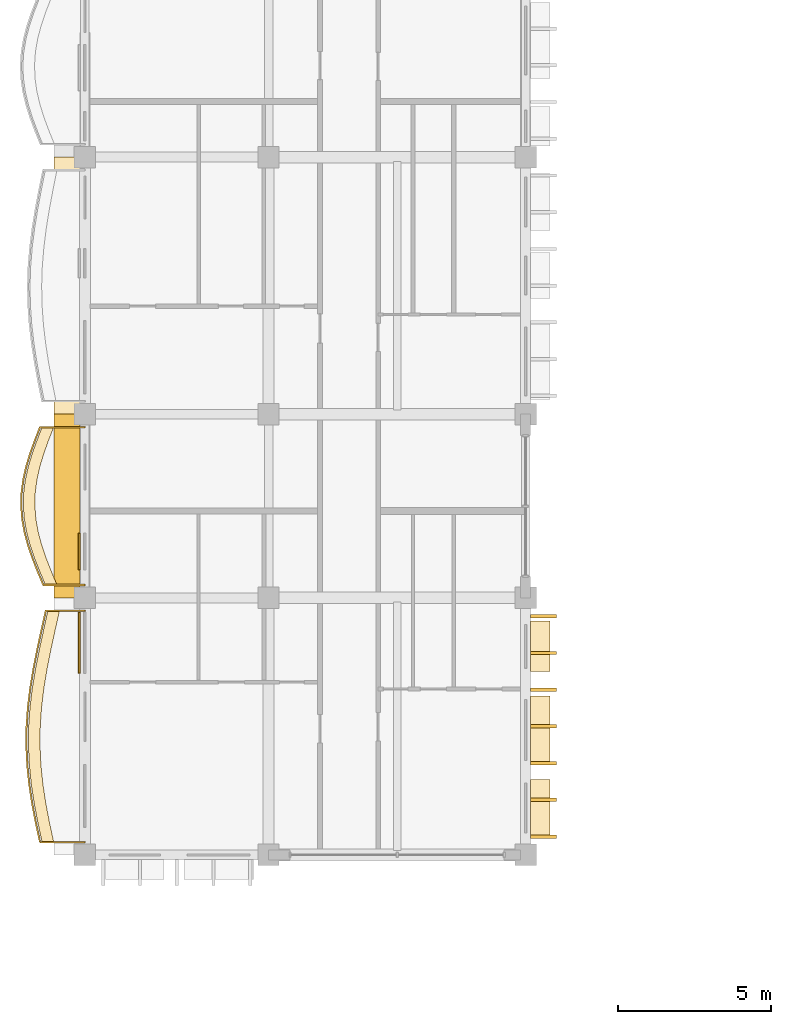
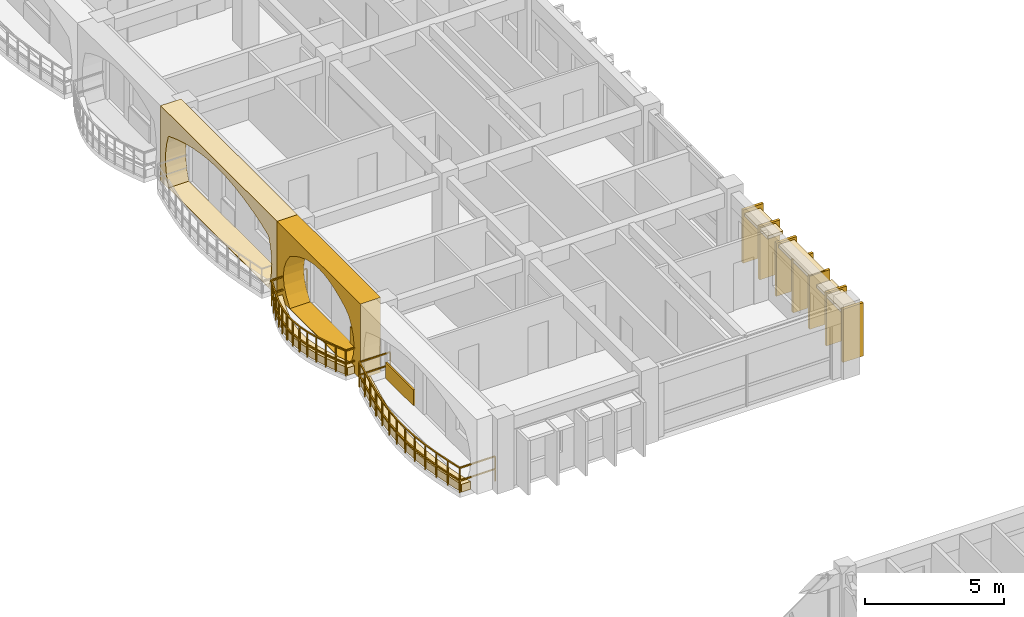
# One storey, part 55 of 76: 16 coverings, 2 railings.
"""IFC4 building model written with IfcOpenShell, lengths in metres."""

from ifc_helpers import new_model, si_unit, direction, frame, origin, origin_2d, place, context, subcontext, project, spatial, polyline, rectangle, outline, extrude, material, layer, layer_set, type_object, element, save


model = new_model("IFC4")

# Units and contexts
model_context = context("Model", 3, precision=1e-05, world=origin(), true_north=direction((0.0, 1.0)))
body_context = subcontext(model_context, "Body", "Model", "MODEL_VIEW")
ifc_project = project(units=[si_unit("LENGTHUNIT", "METRE"), si_unit("AREAUNIT", "SQUARE_METRE"), si_unit("VOLUMEUNIT", "CUBIC_METRE"), si_unit("PLANEANGLEUNIT", "RADIAN"), si_unit("MASSUNIT", "GRAM", prefix="KILO"), si_unit("THERMODYNAMICTEMPERATUREUNIT", "KELVIN")], contexts=[model_context])

# Site, building, storey
site_placement = place(None, origin())
site = spatial("IfcSite", under=ifc_project, at=site_placement, CompositionType="ELEMENT")
building_placement = place(site_placement, origin())
building = spatial("IfcBuilding", under=site, at=building_placement, Name="Thalorik Housing Commons", CompositionType="ELEMENT")
storey_placement = place(building_placement, frame((0.0, 0.0, 18.0)))
storey = spatial("IfcBuildingStorey", under=building, at=storey_placement, Name="L05", CompositionType="ELEMENT", Elevation=18.0)

# Coverings
ifc_material_1 = material(Name="Cobalt blue glazed ceramic facade tile panel", Category="masonry")
ifc_layer_1 = layer(ifc_material_1, 0.06005859375, Name="Cobalt blue glazed ceramic facade tile panel", Category="masonry")
ifc_layer_set_1 = layer_set([ifc_layer_1], Name="Cobalt blue glazed ceramic facade tile panel")
covering_type_1 = type_object("IfcCoveringType", Name="ARC-CLD-BLU-60", PredefinedType="CLADDING", material=ifc_layer_set_1)
covering_1_placement = place(storey_placement, frame((8.21240234375, 81.9150390625, 0.0498046875), z_axis=(0.0, 0.0, 1.0), x_axis=(0.0, -1.0, 0.0)))
element("IfcCovering", 1, at=covering_1_placement, inside=storey, type_object=covering_type_1, Name="L05 De Stijl Recessed Window Spandrel 572", PredefinedType="CLADDING", context=body_context, shape_type="SweptSolid", body=[
    extrude(rectangle(XDim=1.199951171875, YDim=0.06005859375, at=origin_2d()), origin(), (0.0, 0.0, 1.0), 0.699951171875),
])
ifc_material_2 = material(Name="Precast concrete C40/50", Category="concrete")
ifc_layer_2 = layer(ifc_material_2, 0.85009765625, Name="Precast concrete C40/50", Category="concrete")
ifc_layer_set_2 = layer_set([ifc_layer_2], Name="Precast concrete C40/50")
covering_type_2 = type_object("IfcCoveringType", Name="ARC-CLD-CUSH-850", PredefinedType="CLADDING", material=ifc_layer_set_2)
covering_2_placement = place(storey_placement, frame((7.822509765625, 90.60009765625, 0.0), z_axis=(0.0, 0.0, 1.0), x_axis=(0.0, -1.0, 0.0)))
element("IfcCovering", 2, at=covering_2_placement, inside=storey, type_object=covering_type_2, Name="L05 White Precast Curved Cushion Bay Frame 569", PredefinedType="CLADDING", context=body_context, shape_type="SweptSolid", body=[
    extrude(outline(polyline([(-4.199951171875, 0.0), (4.199951171875, 0.0), (4.199951171875, 3.300048828125), (-4.199951171875, 3.300048828125), (-4.199951171875, 0.0)]), holes=[polyline([(3.580078125, 0.02490234375), (3.7109375, 0.404296875), (3.789306640625, 0.783203125), (3.815673828125, 1.16259765625), (3.789306640625, 1.541748046875), (3.7109375, 1.9208984375), (3.580078125, 2.300048828125), (2.979248046875, 2.525390625), (2.37841796875, 2.7021484375), (1.777587890625, 2.845458984375), (1.1767578125, 2.951904296875), (0.57568359375, 3.017822265625), (-0.02490234375, 3.0400390625), (-0.625732421875, 3.017822265625), (-1.226806640625, 2.951904296875), (-1.827392578125, 2.845458984375), (-2.42822265625, 2.7021484375), (-3.029296875, 2.525390625), (-3.6298828125, 2.300048828125), (-3.750244140625, 1.9208984375), (-3.822509765625, 1.541748046875), (-3.8466796875, 1.16259765625), (-3.822509765625, 0.783203125), (-3.750244140625, 0.404296875), (-3.6298828125, 0.02490234375), (3.580078125, 0.02490234375)])]), frame((0.0, 0.425048828125, 0.0), z_axis=(0.0, -1.0, 0.0), x_axis=(1.0, 0.0, 0.0)), (0.0, 0.0, 1.0), 0.85009765625),
])
covering_3_placement = place(storey_placement, frame((7.822509765625, 83.39990234375, 0.0), z_axis=(0.0, 0.0, 1.0), x_axis=(0.0, -1.0, 0.0)))
element("IfcCovering", 3, at=covering_3_placement, inside=storey, type_object=covering_type_2, Name="L05 White Precast Curved Cushion Bay Frame 571", PredefinedType="CLADDING", context=body_context, shape_type="SweptSolid", body=[
    extrude(outline(polyline([(-3.0, 0.0), (3.0, 0.0), (3.0, 3.300048828125), (-3.0, 3.300048828125), (-3.0, 0.0)]), holes=[polyline([(2.135009765625, 0.02490234375), (2.365478515625, 0.407470703125), (2.50390625, 0.7900390625), (2.550048828125, 1.172607421875), (2.50390625, 1.554931640625), (2.365478515625, 1.9375), (2.135009765625, 2.320068359375), (1.7841796875, 2.539306640625), (1.433349609375, 2.711181640625), (1.08251953125, 2.8505859375), (0.731689453125, 2.954345703125), (0.380859375, 3.018310546875), (0.030029296875, 3.0400390625), (-0.32080078125, 3.018310546875), (-0.671630859375, 2.954345703125), (-1.0224609375, 2.8505859375), (-1.373291015625, 2.711181640625), (-1.72412109375, 2.539306640625), (-2.074951171875, 2.320068359375), (-2.3388671875, 1.9375), (-2.497314453125, 1.554931640625), (-2.550048828125, 1.172607421875), (-2.497314453125, 0.7900390625), (-2.3388671875, 0.407470703125), (-2.074951171875, 0.02490234375), (2.135009765625, 0.02490234375)])]), frame((0.0, 0.425048828125, 0.0), z_axis=(0.0, -1.0, 0.0), x_axis=(1.0, 0.0, 0.0)), (0.0, 0.0, 1.0), 0.85009765625),
])
ifc_layer_3 = layer(ifc_material_2, 0.85009765625, Name="Precast concrete C40/50", Category="concrete")
ifc_layer_set_3 = layer_set([ifc_layer_3], Name="Precast concrete C40/50")
covering_type_3 = type_object("IfcCoveringType", Name="ARC-CLD-FIN-850", PredefinedType="CLADDING", material=ifc_layer_set_3)
for number, where, z_axis, x_axis, name in (
    (4, (23.37744140625, 72.60009765625, 0.0400390625), (0.0, 0.0, 1.0), (0.0, 1.0, 0.0), "L05 Courtyard Precast Vertical Brise-Soleil Fin 582"),
    (5, (23.37744140625, 73.800048828125, 0.0400390625), (0.0, 0.0, 1.0), (0.0, 1.0, 0.0), "L05 Courtyard Precast Vertical Brise-Soleil Fin 583"),
    (6, (23.37744140625, 75.0, 0.0400390625), (0.0, 0.0, 1.0), (0.0, 1.0, 0.0), "L05 Courtyard Precast Vertical Brise-Soleil Fin 584"),
    (7, (23.37744140625, 76.199951171875, 0.0400390625), (0.0, 0.0, 1.0), (0.0, 1.0, 0.0), "L05 Courtyard Precast Vertical Brise-Soleil Fin 585"),
    (8, (23.37744140625, 77.39990234375, 0.0400390625), (0.0, 0.0, 1.0), (0.0, 1.0, 0.0), "L05 Courtyard Precast Vertical Brise-Soleil Fin 586"),
    (9, (23.37744140625, 78.60009765625, 0.0400390625), (0.0, 0.0, 1.0), (0.0, 1.0, 0.0), "L05 Courtyard Precast Vertical Brise-Soleil Fin 587"),
    (10, (23.37744140625, 79.800048828125, 0.0400390625), (0.0, 0.0, 1.0), (0.0, 1.0, 0.0), "L05 Courtyard Precast Vertical Brise-Soleil Fin 588"),
):
    element("IfcCovering", number, at=place(storey_placement, frame(where, z_axis=z_axis, x_axis=x_axis)), inside=storey, type_object=covering_type_3, Name=name, PredefinedType="CLADDING", context=body_context, shape_type="SweptSolid", body=[
        extrude(rectangle(XDim=0.110107421875, YDim=0.85009765625, at=origin_2d()), origin(), (0.0, 0.0, 1.0), 2.344970703125),
    ])
ifc_layer_4 = layer(ifc_material_2, 0.64990234375, Name="Precast concrete C40/50", Category="concrete")
ifc_layer_set_4 = layer_set([ifc_layer_4], Name="Precast concrete C40/50")
covering_type_4 = type_object("IfcCoveringType", Name="ARC-CLD-HOOD-650", PredefinedType="CLADDING", material=ifc_layer_set_4)
covering_4_placement = place(storey_placement, frame((23.277587890625, 73.5341796875, 2.169921875), z_axis=(0.0, 0.0, 1.0), x_axis=(0.0, 1.0, 0.0)))
element("IfcCovering", 11, at=covering_4_placement, inside=storey, type_object=covering_type_4, Name="L05 Courtyard Precast Window Sun-Hood 589", PredefinedType="CLADDING", context=body_context, shape_type="SweptSolid", body=[
    extrude(rectangle(XDim=1.860107421875, YDim=0.64990234375, at=origin_2d()), origin(), (0.0, 0.0, 1.0), 0.139892578125),
])
covering_5_placement = place(storey_placement, frame((23.277587890625, 76.082275390625, 2.27490234375), z_axis=(0.0, 0.0, 1.0), x_axis=(0.0, 1.0, 0.0)))
element("IfcCovering", 12, at=covering_5_placement, inside=storey, type_object=covering_type_4, Name="L05 Courtyard Precast Window Sun-Hood 590", PredefinedType="CLADDING", context=body_context, shape_type="SweptSolid", body=[
    extrude(rectangle(XDim=2.219970703125, YDim=0.64990234375, at=origin_2d()), origin(), (0.0, 0.0, 1.0), 0.139892578125),
])
covering_6_placement = place(storey_placement, frame((23.277587890625, 78.818115234375, 2.169921875), z_axis=(0.0, 0.0, 1.0), x_axis=(0.0, 1.0, 0.0)))
element("IfcCovering", 13, at=covering_6_placement, inside=storey, type_object=covering_type_4, Name="L05 Courtyard Precast Window Sun-Hood 591", PredefinedType="CLADDING", context=body_context, shape_type="SweptSolid", body=[
    extrude(rectangle(XDim=1.659912109375, YDim=0.64990234375, at=origin_2d()), origin(), (0.0, 0.0, 1.0), 0.139892578125),
])
ifc_material_3 = material(Name="Mineral ochre architectural terracotta panel", Category="masonry")
ifc_layer_5 = layer(ifc_material_3, 0.06494140625, Name="Mineral ochre architectural terracotta panel", Category="masonry")
ifc_layer_set_5 = layer_set([ifc_layer_5], Name="Mineral ochre architectural terracotta panel")
covering_type_5 = type_object("IfcCoveringType", Name="ARC-CLD-YEL-65", PredefinedType="CLADDING", material=ifc_layer_set_5)
covering_7_placement = place(storey_placement, frame((8.2099609375, 78.929931640625, 0.0498046875), z_axis=(0.0, 0.0, 1.0), x_axis=(0.0, -1.0, 0.0)))
element("IfcCovering", 14, at=covering_7_placement, inside=storey, type_object=covering_type_5, Name="L05 De Stijl Recessed Window Spandrel 574", PredefinedType="CLADDING", context=body_context, shape_type="SweptSolid", body=[
    extrude(rectangle(XDim=2.0, YDim=0.06494140625, at=origin_2d()), origin(), (0.0, 0.0, 1.0), 0.699951171875),
])
ifc_material_4 = material(Name="Planted vegetated substrate and terracotta trough", Category="masonry")
ifc_layer_6 = layer(ifc_material_4, 0.340087890625, Name="Planted vegetated substrate and terracotta trough", Category="masonry")
ifc_layer_set_6 = layer_set([ifc_layer_6], Name="Planted vegetated substrate and terracotta trough")
covering_type_6 = type_object("IfcCoveringType", Name="ARC-COV-PLANTER", PredefinedType="USERDEFINED", material=ifc_layer_set_6)
covering_8_placement = place(storey_placement, origin())
element("IfcCovering", 15, at=covering_8_placement, inside=storey, type_object=covering_type_6, Name="L05 Balcony Slab-Edge Planted Trough 5352", ObjectType="PLANTER", PredefinedType="USERDEFINED", context=body_context, shape_type="SweptSolid", body=[
    extrude(outline(polyline([(7.189453125, 79.97998046875), (7.04931640625, 79.35009765625), (6.912109375, 78.719970703125), (6.786865234375, 78.090087890625), (6.68212890625, 77.4599609375), (6.605224609375, 76.830078125), (6.561279296875, 76.199951171875), (6.553955078125, 75.570068359375), (6.58349609375, 74.93994140625), (6.648193359375, 74.31005859375), (6.743896484375, 73.679931640625), (6.864013671875, 73.050048828125), (7.001220703125, 72.419921875), (7.381103515625, 72.419921875), (7.244140625, 73.050048828125), (7.123779296875, 73.679931640625), (7.028076171875, 74.31005859375), (6.96337890625, 74.93994140625), (6.933837890625, 75.570068359375), (6.94140625, 76.199951171875), (6.985107421875, 76.830078125), (7.06201171875, 77.4599609375), (7.166748046875, 78.090087890625), (7.2919921875, 78.719970703125), (7.42919921875, 79.35009765625), (7.5693359375, 79.97998046875), (7.189453125, 79.97998046875)])), origin(), (0.0, 0.0, 1.0), 0.340087890625),
])
covering_9_placement = place(storey_placement, origin())
element("IfcCovering", 16, at=covering_9_placement, inside=storey, type_object=covering_type_6, Name="L05 Balcony Slab-Edge Planted Trough 5353", ObjectType="PLANTER", PredefinedType="USERDEFINED", context=body_context, shape_type="SweptSolid", body=[
    extrude(outline(polyline([(7.0029296875, 85.97998046875), (6.833740234375, 85.550048828125), (6.678955078125, 85.1201171875), (6.54931640625, 84.68994140625), (6.453369140625, 84.260009765625), (6.3974609375, 83.830078125), (6.385986328125, 83.39990234375), (6.419677734375, 82.969970703125), (6.496826171875, 82.5400390625), (6.61279296875, 82.110107421875), (6.76025390625, 81.679931640625), (6.9296875, 81.25), (7.1103515625, 80.820068359375), (7.490234375, 80.820068359375), (7.3095703125, 81.25), (7.14013671875, 81.679931640625), (6.992919921875, 82.110107421875), (6.876953125, 82.5400390625), (6.7998046875, 82.969970703125), (6.765869140625, 83.39990234375), (6.777587890625, 83.830078125), (6.833251953125, 84.260009765625), (6.92919921875, 84.68994140625), (7.05908203125, 85.1201171875), (7.213623046875, 85.550048828125), (7.3828125, 85.97998046875), (7.0029296875, 85.97998046875)])), origin(), (0.0, 0.0, 1.0), 0.340087890625),
])

# Railings
ifc_material_5 = material(Name="Steel S355", Category="steel")
railing_type_1 = type_object("IfcRailingType", Name="ARC-RL-BAL-112", PredefinedType="BALUSTRADE", material=ifc_material_5)
railing_1_placement = place(storey_placement, frame((8.39990234375, 79.97998046875, 0.0)))
element("IfcRailing", 17, at=railing_1_placement, inside=storey, type_object=railing_type_1, Name="L05 Cushion Balcony Guardrail 36", PredefinedType="BALUSTRADE", context=body_context, shape_type="SweptSolid", body=[
    extrude(rectangle(XDim=0.050048828125, YDim=0.050048828125, at=origin_2d()), frame((0.0, 0.0, 1.09521484375), z_axis=(-1.0, 0.0, 0.0), x_axis=(0.0, -1.0, 0.0)), (0.0, 0.0, 1.0), 1.280517578125),
    extrude(rectangle(XDim=0.050048828125, YDim=0.050048828125, at=origin_2d()), frame((0.0, 0.0, 0.53515625), z_axis=(-1.0, 0.0, 0.0), x_axis=(0.0, -1.0, 0.0)), (0.0, 0.0, 1.0), 1.280517578125),
    extrude(rectangle(XDim=0.050048828125, YDim=0.050048828125, at=origin_2d()), frame((-1.280517578125, 0.0, 1.09521484375), z_axis=(-0.217170812462, -0.976133616988, 0.0), x_axis=(0.976133616988, -0.217170812462, 0.0)), (0.0, 0.0, 1.0), 0.645263671875),
    extrude(rectangle(XDim=0.050048828125, YDim=0.050048828125, at=origin_2d()), frame((-1.280517578125, 0.0, 0.53515625), z_axis=(-0.217170812462, -0.976133616988, 0.0), x_axis=(0.976133616988, -0.217170812462, 0.0)), (0.0, 0.0, 1.0), 0.645263671875),
    extrude(rectangle(XDim=0.050048828125, YDim=0.050048828125, at=origin_2d()), frame((-1.420654296875, -0.6298828125, 1.09521484375), z_axis=(-0.212759690317, -0.97710455642, 0.0), x_axis=(0.97710455642, -0.212759690317, 0.0)), (0.0, 0.0, 1.0), 0.644775390625),
    extrude(rectangle(XDim=0.050048828125, YDim=0.050048828125, at=origin_2d()), frame((-1.420654296875, -0.6298828125, 0.53515625), z_axis=(-0.212759690317, -0.97710455642, 0.0), x_axis=(0.97710455642, -0.212759690317, 0.0)), (0.0, 0.0, 1.0), 0.644775390625),
    extrude(rectangle(XDim=0.050048828125, YDim=0.050048828125, at=origin_2d()), frame((-1.557861328125, -1.260009765625, 1.09521484375), z_axis=(-0.19501941212, -0.980799382594, 0.0), x_axis=(0.980799382594, -0.19501941212, 0.0)), (0.0, 0.0, 1.0), 0.642333984375),
    extrude(rectangle(XDim=0.050048828125, YDim=0.050048828125, at=origin_2d()), frame((-1.557861328125, -1.260009765625, 0.53515625), z_axis=(-0.19501941212, -0.980799382594, 0.0), x_axis=(0.980799382594, -0.19501941212, 0.0)), (0.0, 0.0, 1.0), 0.642333984375),
    extrude(rectangle(XDim=0.050048828125, YDim=0.050048828125, at=origin_2d()), frame((-1.68310546875, -1.889892578125, 1.09521484375), z_axis=(-0.163965119264, -0.98646613711, 0.0), x_axis=(0.98646613711, -0.163965119264, 0.0)), (0.0, 0.0, 1.0), 0.638671875),
    extrude(rectangle(XDim=0.050048828125, YDim=0.050048828125, at=origin_2d()), frame((-1.68310546875, -1.889892578125, 0.53515625), z_axis=(-0.163965119264, -0.98646613711, 0.0), x_axis=(0.98646613711, -0.163965119264, 0.0)), (0.0, 0.0, 1.0), 0.638671875),
    extrude(rectangle(XDim=0.050048828125, YDim=0.050048828125, at=origin_2d()), frame((-1.787841796875, -2.52001953125, 1.09521484375), z_axis=(-0.121193069933, -0.992628953739, 0.0), x_axis=(0.992628953739, -0.121193069933, 0.0)), (0.0, 0.0, 1.0), 0.634521484375),
    extrude(rectangle(XDim=0.050048828125, YDim=0.050048828125, at=origin_2d()), frame((-1.787841796875, -2.52001953125, 0.53515625), z_axis=(-0.121193069933, -0.992628953739, 0.0), x_axis=(0.992628953739, -0.121193069933, 0.0)), (0.0, 0.0, 1.0), 0.634521484375),
    extrude(rectangle(XDim=0.050048828125, YDim=0.050048828125, at=origin_2d()), frame((-1.86474609375, -3.14990234375, 1.09521484375), z_axis=(-0.069186775125, -0.997603724005, 0.0), x_axis=(0.997603724005, -0.069186775125, 0.0)), (0.0, 0.0, 1.0), 0.631591796875),
    extrude(rectangle(XDim=0.050048828125, YDim=0.050048828125, at=origin_2d()), frame((-1.86474609375, -3.14990234375, 0.53515625), z_axis=(-0.069186775125, -0.997603724005, 0.0), x_axis=(0.997603724005, -0.069186775125, 0.0)), (0.0, 0.0, 1.0), 0.631591796875),
    extrude(rectangle(XDim=0.050048828125, YDim=0.050048828125, at=origin_2d()), frame((-1.908447265625, -3.780029296875, 1.09521484375), z_axis=(-0.012014636617, -0.999927821649, 0.0), x_axis=(0.999927821649, -0.012014636617, 0.0)), (0.0, 0.0, 1.0), 0.6298828125),
    extrude(rectangle(XDim=0.050048828125, YDim=0.050048828125, at=origin_2d()), frame((-1.908447265625, -3.780029296875, 0.53515625), z_axis=(-0.012014636617, -0.999927821649, 0.0), x_axis=(0.999927821649, -0.012014636617, 0.0)), (0.0, 0.0, 1.0), 0.6298828125),
    extrude(rectangle(XDim=0.050048828125, YDim=0.050048828125, at=origin_2d()), frame((-1.916015625, -4.409912109375, 1.09521484375), z_axis=(0.046829620253, -0.99890289151, 0.0), x_axis=(0.99890289151, 0.046829620253, 0.0)), (0.0, 0.0, 1.0), 0.630859375),
    extrude(rectangle(XDim=0.050048828125, YDim=0.050048828125, at=origin_2d()), frame((-1.916015625, -4.409912109375, 0.53515625), z_axis=(0.046829620253, -0.99890289151, 0.0), x_axis=(0.99890289151, 0.046829620253, 0.0)), (0.0, 0.0, 1.0), 0.630859375),
    extrude(rectangle(XDim=0.050048828125, YDim=0.050048828125, at=origin_2d()), frame((-1.886474609375, -5.0400390625, 1.09521484375), z_axis=(0.102175616173, -0.994766376321, 0.0), x_axis=(0.994766376321, 0.102175616173, 0.0)), (0.0, 0.0, 1.0), 0.63330078125),
    extrude(rectangle(XDim=0.050048828125, YDim=0.050048828125, at=origin_2d()), frame((-1.886474609375, -5.0400390625, 0.53515625), z_axis=(0.102175616173, -0.994766376321, 0.0), x_axis=(0.994766376321, 0.102175616173, 0.0)), (0.0, 0.0, 1.0), 0.63330078125),
    extrude(rectangle(XDim=0.050048828125, YDim=0.050048828125, at=origin_2d()), frame((-1.82177734375, -5.669921875, 1.09521484375), z_axis=(0.150157133099, -0.988662144203, 0.0), x_axis=(0.988662144203, 0.150157133099, 0.0)), (0.0, 0.0, 1.0), 0.637451171875),
    extrude(rectangle(XDim=0.050048828125, YDim=0.050048828125, at=origin_2d()), frame((-1.82177734375, -5.669921875, 0.53515625), z_axis=(0.150157133099, -0.988662144203, 0.0), x_axis=(0.988662144203, 0.150157133099, 0.0)), (0.0, 0.0, 1.0), 0.637451171875),
    extrude(rectangle(XDim=0.050048828125, YDim=0.050048828125, at=origin_2d()), frame((-1.72607421875, -6.300048828125, 1.09521484375), z_axis=(0.187689386574, -0.982228432783, 0.0), x_axis=(0.982228432783, 0.187689386574, 0.0)), (0.0, 0.0, 1.0), 0.641357421875),
    extrude(rectangle(XDim=0.050048828125, YDim=0.050048828125, at=origin_2d()), frame((-1.72607421875, -6.300048828125, 0.53515625), z_axis=(0.187689386574, -0.982228432783, 0.0), x_axis=(0.982228432783, 0.187689386574, 0.0)), (0.0, 0.0, 1.0), 0.641357421875),
    extrude(rectangle(XDim=0.050048828125, YDim=0.050048828125, at=origin_2d()), frame((-1.605712890625, -6.929931640625, 1.09521484375), z_axis=(0.212398207586, -0.977183197468, 0.0), x_axis=(0.977183197468, 0.212398207586, 0.0)), (0.0, 0.0, 1.0), 0.644775390625),
    extrude(rectangle(XDim=0.050048828125, YDim=0.050048828125, at=origin_2d()), frame((-1.605712890625, -6.929931640625, 0.53515625), z_axis=(0.212398207586, -0.977183197468, 0.0), x_axis=(0.977183197468, 0.212398207586, 0.0)), (0.0, 0.0, 1.0), 0.644775390625),
    extrude(rectangle(XDim=0.050048828125, YDim=0.050048828125, at=origin_2d()), frame((-1.46875, -7.56005859375, 1.09521484375), z_axis=(1.0, 0.0, 0.0), x_axis=(0.0, 1.0, 0.0)), (0.0, 0.0, 1.0), 1.46875),
    extrude(rectangle(XDim=0.050048828125, YDim=0.050048828125, at=origin_2d()), frame((-1.46875, -7.56005859375, 0.53515625), z_axis=(1.0, 0.0, 0.0), x_axis=(0.0, 1.0, 0.0)), (0.0, 0.0, 1.0), 1.46875),
    extrude(rectangle(XDim=0.0419921875, YDim=0.0419921875, at=origin_2d()), origin(), (0.0, 0.0, 1.0), 1.070068359375),
    extrude(rectangle(XDim=0.0419921875, YDim=0.0419921875, at=origin_2d()), frame((-1.280517578125, 0.0, 0.0)), (0.0, 0.0, 1.0), 1.070068359375),
    extrude(rectangle(XDim=0.0419921875, YDim=0.0419921875, at=origin_2d()), frame((-1.420654296875, -0.6298828125, 0.0)), (0.0, 0.0, 1.0), 1.070068359375),
    extrude(rectangle(XDim=0.0419921875, YDim=0.0419921875, at=origin_2d()), frame((-1.557861328125, -1.260009765625, 0.0)), (0.0, 0.0, 1.0), 1.070068359375),
    extrude(rectangle(XDim=0.0419921875, YDim=0.0419921875, at=origin_2d()), frame((-1.68310546875, -1.889892578125, 0.0)), (0.0, 0.0, 1.0), 1.070068359375),
    extrude(rectangle(XDim=0.0419921875, YDim=0.0419921875, at=origin_2d()), frame((-1.787841796875, -2.52001953125, 0.0)), (0.0, 0.0, 1.0), 1.070068359375),
    extrude(rectangle(XDim=0.0419921875, YDim=0.0419921875, at=origin_2d()), frame((-1.86474609375, -3.14990234375, 0.0)), (0.0, 0.0, 1.0), 1.070068359375),
    extrude(rectangle(XDim=0.0419921875, YDim=0.0419921875, at=origin_2d()), frame((-1.908447265625, -3.780029296875, 0.0)), (0.0, 0.0, 1.0), 1.070068359375),
    extrude(rectangle(XDim=0.0419921875, YDim=0.0419921875, at=origin_2d()), frame((-1.916015625, -4.409912109375, 0.0)), (0.0, 0.0, 1.0), 1.070068359375),
    extrude(rectangle(XDim=0.0419921875, YDim=0.0419921875, at=origin_2d()), frame((-1.886474609375, -5.0400390625, 0.0)), (0.0, 0.0, 1.0), 1.070068359375),
    extrude(rectangle(XDim=0.0419921875, YDim=0.0419921875, at=origin_2d()), frame((-1.82177734375, -5.669921875, 0.0)), (0.0, 0.0, 1.0), 1.070068359375),
    extrude(rectangle(XDim=0.0419921875, YDim=0.0419921875, at=origin_2d()), frame((-1.72607421875, -6.300048828125, 0.0)), (0.0, 0.0, 1.0), 1.070068359375),
    extrude(rectangle(XDim=0.0419921875, YDim=0.0419921875, at=origin_2d()), frame((-1.605712890625, -6.929931640625, 0.0)), (0.0, 0.0, 1.0), 1.070068359375),
    extrude(rectangle(XDim=0.0419921875, YDim=0.0419921875, at=origin_2d()), frame((-1.46875, -7.56005859375, 0.0)), (0.0, 0.0, 1.0), 1.070068359375),
    extrude(rectangle(XDim=0.0419921875, YDim=0.0419921875, at=origin_2d()), frame((0.0, -7.56005859375, 0.0)), (0.0, 0.0, 1.0), 1.070068359375),
])
railing_type_2 = type_object("IfcRailingType", Name="ARC-RL-BAL-115", PredefinedType="BALUSTRADE", material=ifc_material_5)
railing_2_placement = place(storey_placement, frame((8.39990234375, 85.97998046875, 0.0)))
element("IfcRailing", 18, at=railing_2_placement, inside=storey, type_object=railing_type_2, Name="L05 Cushion Balcony Guardrail 37", PredefinedType="BALUSTRADE", context=body_context, shape_type="SweptSolid", body=[
    extrude(rectangle(XDim=0.050048828125, YDim=0.050048828125, at=origin_2d()), frame((0.0, 0.0, 1.125), z_axis=(-1.0, 0.0, 0.0), x_axis=(0.0, -1.0, 0.0)), (0.0, 0.0, 1.0), 1.467041015625),
    extrude(rectangle(XDim=0.050048828125, YDim=0.050048828125, at=origin_2d()), frame((0.0, 0.0, 0.5498046875), z_axis=(-1.0, 0.0, 0.0), x_axis=(0.0, -1.0, 0.0)), (0.0, 0.0, 1.0), 1.467041015625),
    extrude(rectangle(XDim=0.050048828125, YDim=0.050048828125, at=origin_2d()), frame((-1.467041015625, 0.0, 1.125), z_axis=(-0.366191820122, -0.930539387063, 0.0), x_axis=(0.930539387063, -0.366191820122, 0.0)), (0.0, 0.0, 1.0), 0.4619140625),
    extrude(rectangle(XDim=0.050048828125, YDim=0.050048828125, at=origin_2d()), frame((-1.467041015625, 0.0, 0.5498046875), z_axis=(-0.366191820122, -0.930539387063, 0.0), x_axis=(0.930539387063, -0.366191820122, 0.0)), (0.0, 0.0, 1.0), 0.4619140625),
    extrude(rectangle(XDim=0.050048828125, YDim=0.050048828125, at=origin_2d()), frame((-1.63623046875, -0.429931640625, 1.125), z_axis=(-0.33873838774, -0.940880600646, 0.0), x_axis=(0.940880600646, -0.33873838774, 0.0)), (0.0, 0.0, 1.0), 0.45703125),
    extrude(rectangle(XDim=0.050048828125, YDim=0.050048828125, at=origin_2d()), frame((-1.63623046875, -0.429931640625, 0.5498046875), z_axis=(-0.33873838774, -0.940880600646, 0.0), x_axis=(0.940880600646, -0.33873838774, 0.0)), (0.0, 0.0, 1.0), 0.45703125),
    extrude(rectangle(XDim=0.050048828125, YDim=0.050048828125, at=origin_2d()), frame((-1.791015625, -0.85986328125, 1.125), z_axis=(-0.288544133191, -0.957466596389, 0.0), x_axis=(0.957466596389, -0.288544133191, 0.0)), (0.0, 0.0, 1.0), 0.44921875),
    extrude(rectangle(XDim=0.050048828125, YDim=0.050048828125, at=origin_2d()), frame((-1.791015625, -0.85986328125, 0.5498046875), z_axis=(-0.288544133191, -0.957466596389, 0.0), x_axis=(0.957466596389, -0.288544133191, 0.0)), (0.0, 0.0, 1.0), 0.44921875),
    extrude(rectangle(XDim=0.050048828125, YDim=0.050048828125, at=origin_2d()), frame((-1.920654296875, -1.2900390625, 1.125), z_axis=(-0.217810610081, -0.975991054332, 0.0), x_axis=(0.975991054332, -0.217810610081, 0.0)), (0.0, 0.0, 1.0), 0.4404296875),
    extrude(rectangle(XDim=0.050048828125, YDim=0.050048828125, at=origin_2d()), frame((-1.920654296875, -1.2900390625, 0.5498046875), z_axis=(-0.217810610081, -0.975991054332, 0.0), x_axis=(0.975991054332, -0.217810610081, 0.0)), (0.0, 0.0, 1.0), 0.4404296875),
    extrude(rectangle(XDim=0.050048828125, YDim=0.050048828125, at=origin_2d()), frame((-2.0166015625, -1.719970703125, 1.125), z_axis=(-0.12895399331, -0.991650577376, 0.0), x_axis=(0.991650577376, -0.12895399331, 0.0)), (0.0, 0.0, 1.0), 0.43359375),
    extrude(rectangle(XDim=0.050048828125, YDim=0.050048828125, at=origin_2d()), frame((-2.0166015625, -1.719970703125, 0.5498046875), z_axis=(-0.12895399331, -0.991650577376, 0.0), x_axis=(0.991650577376, -0.12895399331, 0.0)), (0.0, 0.0, 1.0), 0.43359375),
    extrude(rectangle(XDim=0.050048828125, YDim=0.050048828125, at=origin_2d()), frame((-2.072509765625, -2.14990234375, 1.125), z_axis=(-0.026664749331, -0.999644432357, 0.0), x_axis=(0.999644432357, -0.026664749331, 0.0)), (0.0, 0.0, 1.0), 0.430419921875),
    extrude(rectangle(XDim=0.050048828125, YDim=0.050048828125, at=origin_2d()), frame((-2.072509765625, -2.14990234375, 0.5498046875), z_axis=(-0.026664749331, -0.999644432357, 0.0), x_axis=(0.999644432357, -0.026664749331, 0.0)), (0.0, 0.0, 1.0), 0.430419921875),
    extrude(rectangle(XDim=0.050048828125, YDim=0.050048828125, at=origin_2d()), frame((-2.083984375, -2.580078125, 1.125), z_axis=(0.078125049577, -0.996943567424, 0.0), x_axis=(0.996943567424, 0.078125049577, 0.0)), (0.0, 0.0, 1.0), 0.43115234375),
    extrude(rectangle(XDim=0.050048828125, YDim=0.050048828125, at=origin_2d()), frame((-2.083984375, -2.580078125, 0.5498046875), z_axis=(0.078125049577, -0.996943567424, 0.0), x_axis=(0.996943567424, 0.078125049577, 0.0)), (0.0, 0.0, 1.0), 0.43115234375),
    extrude(rectangle(XDim=0.050048828125, YDim=0.050048828125, at=origin_2d()), frame((-2.05029296875, -3.010009765625, 1.125), z_axis=(0.177163825047, -0.984181375101, 0.0), x_axis=(0.984181375101, 0.177163825047, 0.0)), (0.0, 0.0, 1.0), 0.436767578125),
    extrude(rectangle(XDim=0.050048828125, YDim=0.050048828125, at=origin_2d()), frame((-2.05029296875, -3.010009765625, 0.5498046875), z_axis=(0.177163825047, -0.984181375101, 0.0), x_axis=(0.984181375101, 0.177163825047, 0.0)), (0.0, 0.0, 1.0), 0.436767578125),
    extrude(rectangle(XDim=0.050048828125, YDim=0.050048828125, at=origin_2d()), frame((-1.972900390625, -3.43994140625, 1.125), z_axis=(0.259914478843, -0.965631639751, 0.0), x_axis=(0.965631639751, 0.259914478843, 0.0)), (0.0, 0.0, 1.0), 0.4453125),
    extrude(rectangle(XDim=0.050048828125, YDim=0.050048828125, at=origin_2d()), frame((-1.972900390625, -3.43994140625, 0.5498046875), z_axis=(0.259914478843, -0.965631639751, 0.0), x_axis=(0.965631639751, 0.259914478843, 0.0)), (0.0, 0.0, 1.0), 0.4453125),
    extrude(rectangle(XDim=0.050048828125, YDim=0.050048828125, at=origin_2d()), frame((-1.857177734375, -3.869873046875, 1.125), z_axis=(0.324269421085, -0.945964768133, 0.0), x_axis=(0.945964768133, 0.324269421085, 0.0)), (0.0, 0.0, 1.0), 0.454833984375),
    extrude(rectangle(XDim=0.050048828125, YDim=0.050048828125, at=origin_2d()), frame((-1.857177734375, -3.869873046875, 0.5498046875), z_axis=(0.324269421085, -0.945964768133, 0.0), x_axis=(0.945964768133, 0.324269421085, 0.0)), (0.0, 0.0, 1.0), 0.454833984375),
    extrude(rectangle(XDim=0.050048828125, YDim=0.050048828125, at=origin_2d()), frame((-1.709716796875, -4.300048828125, 1.125), z_axis=(0.366649244, -0.930359248825, 0.0), x_axis=(0.930359248825, 0.366649244, 0.0)), (0.0, 0.0, 1.0), 0.462158203125),
    extrude(rectangle(XDim=0.050048828125, YDim=0.050048828125, at=origin_2d()), frame((-1.709716796875, -4.300048828125, 0.5498046875), z_axis=(0.366649244, -0.930359248825, 0.0), x_axis=(0.930359248825, 0.366649244, 0.0)), (0.0, 0.0, 1.0), 0.462158203125),
    extrude(rectangle(XDim=0.050048828125, YDim=0.050048828125, at=origin_2d()), frame((-1.540283203125, -4.72998046875, 1.125), z_axis=(0.387401583544, -0.921911065704, 0.0), x_axis=(0.921911065704, 0.387401583544, 0.0)), (0.0, 0.0, 1.0), 0.46630859375),
    extrude(rectangle(XDim=0.050048828125, YDim=0.050048828125, at=origin_2d()), frame((-1.540283203125, -4.72998046875, 0.5498046875), z_axis=(0.387401583544, -0.921911065704, 0.0), x_axis=(0.921911065704, 0.387401583544, 0.0)), (0.0, 0.0, 1.0), 0.46630859375),
    extrude(rectangle(XDim=0.050048828125, YDim=0.050048828125, at=origin_2d()), frame((-1.359619140625, -5.159912109375, 1.125), z_axis=(1.0, 0.0, 0.0), x_axis=(0.0, 1.0, 0.0)), (0.0, 0.0, 1.0), 1.359619140625),
    extrude(rectangle(XDim=0.050048828125, YDim=0.050048828125, at=origin_2d()), frame((-1.359619140625, -5.159912109375, 0.5498046875), z_axis=(1.0, 0.0, 0.0), x_axis=(0.0, 1.0, 0.0)), (0.0, 0.0, 1.0), 1.359619140625),
    extrude(rectangle(XDim=0.0419921875, YDim=0.0419921875, at=origin_2d()), origin(), (0.0, 0.0, 1.0), 1.099853515625),
    extrude(rectangle(XDim=0.0419921875, YDim=0.0419921875, at=origin_2d()), frame((-1.467041015625, 0.0, 0.0)), (0.0, 0.0, 1.0), 1.099853515625),
    extrude(rectangle(XDim=0.0419921875, YDim=0.0419921875, at=origin_2d()), frame((-1.63623046875, -0.429931640625, 0.0)), (0.0, 0.0, 1.0), 1.099853515625),
    extrude(rectangle(XDim=0.0419921875, YDim=0.0419921875, at=origin_2d()), frame((-1.791015625, -0.85986328125, 0.0)), (0.0, 0.0, 1.0), 1.099853515625),
    extrude(rectangle(XDim=0.0419921875, YDim=0.0419921875, at=origin_2d()), frame((-1.920654296875, -1.2900390625, 0.0)), (0.0, 0.0, 1.0), 1.099853515625),
    extrude(rectangle(XDim=0.0419921875, YDim=0.0419921875, at=origin_2d()), frame((-2.0166015625, -1.719970703125, 0.0)), (0.0, 0.0, 1.0), 1.099853515625),
    extrude(rectangle(XDim=0.0419921875, YDim=0.0419921875, at=origin_2d()), frame((-2.072509765625, -2.14990234375, 0.0)), (0.0, 0.0, 1.0), 1.099853515625),
    extrude(rectangle(XDim=0.0419921875, YDim=0.0419921875, at=origin_2d()), frame((-2.083984375, -2.580078125, 0.0)), (0.0, 0.0, 1.0), 1.099853515625),
    extrude(rectangle(XDim=0.0419921875, YDim=0.0419921875, at=origin_2d()), frame((-2.05029296875, -3.010009765625, 0.0)), (0.0, 0.0, 1.0), 1.099853515625),
    extrude(rectangle(XDim=0.0419921875, YDim=0.0419921875, at=origin_2d()), frame((-1.972900390625, -3.43994140625, 0.0)), (0.0, 0.0, 1.0), 1.099853515625),
    extrude(rectangle(XDim=0.0419921875, YDim=0.0419921875, at=origin_2d()), frame((-1.857177734375, -3.869873046875, 0.0)), (0.0, 0.0, 1.0), 1.099853515625),
    extrude(rectangle(XDim=0.0419921875, YDim=0.0419921875, at=origin_2d()), frame((-1.709716796875, -4.300048828125, 0.0)), (0.0, 0.0, 1.0), 1.099853515625),
    extrude(rectangle(XDim=0.0419921875, YDim=0.0419921875, at=origin_2d()), frame((-1.540283203125, -4.72998046875, 0.0)), (0.0, 0.0, 1.0), 1.099853515625),
    extrude(rectangle(XDim=0.0419921875, YDim=0.0419921875, at=origin_2d()), frame((-1.359619140625, -5.159912109375, 0.0)), (0.0, 0.0, 1.0), 1.099853515625),
    extrude(rectangle(XDim=0.0419921875, YDim=0.0419921875, at=origin_2d()), frame((0.0, -5.159912109375, 0.0)), (0.0, 0.0, 1.0), 1.099853515625),
])

save(model, "model.ifc")
